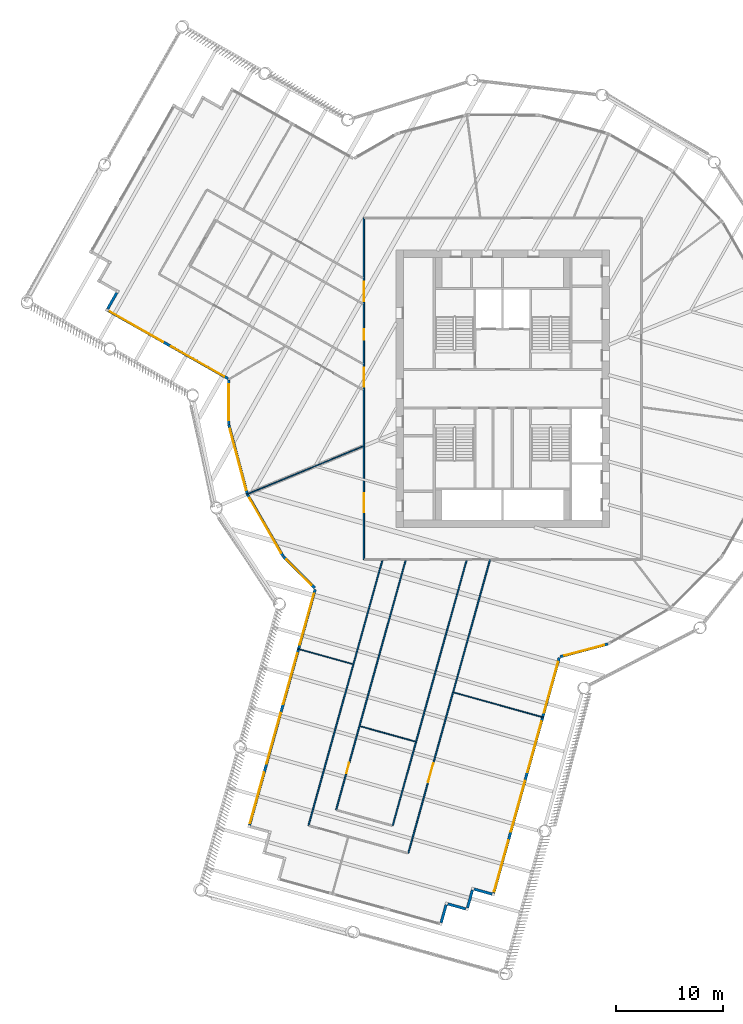
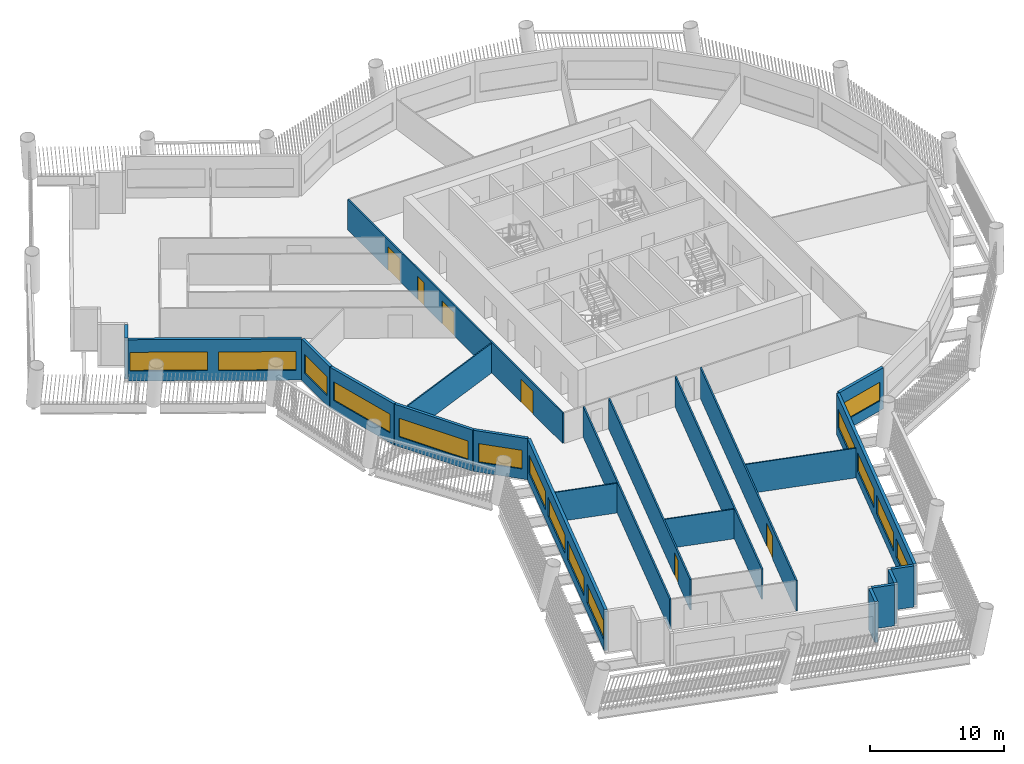
# One storey, part 3 of 15: 22 walls, 15 windows, 6 doors, 21 openings.
"""IFC4 building model written with IfcOpenShell, lengths in metres."""

from ifc_helpers import new_model, si_unit, direction, frame, frame_2d, origin, place, context, subcontext, project, spatial, rectangle, extrude, material, layer, layer_set, type_object, element, fill, save


model = new_model("IFC4")

# Units and contexts
model_context = context("Model", 3, precision=1e-05, world=origin(), true_north=direction((0.0, 1.0)))
body_context = subcontext(model_context, "Body", "Model", "MODEL_VIEW")
ifc_project = project(units=[si_unit("LENGTHUNIT", "METRE"), si_unit("AREAUNIT", "SQUARE_METRE"), si_unit("VOLUMEUNIT", "CUBIC_METRE"), si_unit("PLANEANGLEUNIT", "RADIAN"), si_unit("MASSUNIT", "GRAM", prefix="KILO")], contexts=[model_context])

# Site, building, storey
site_placement = place(None, origin())
site = spatial("IfcSite", under=ifc_project, at=site_placement, CompositionType="ELEMENT")
building_placement = place(site_placement, origin())
building = spatial("IfcBuilding", under=site, at=building_placement, Name="Tarsis Ring Headquarters", CompositionType="ELEMENT")
storey_placement = place(building_placement, frame((0.0, 0.0, 159.300048828125)))
storey = spatial("IfcBuildingStorey", under=building, at=storey_placement, Name="L36", CompositionType="ELEMENT", Elevation=159.300048828125)

# Walls
ifc_material_1 = material(Name="Gypsum board on steel studs", Category="steel")
ifc_layer_1 = layer(ifc_material_1, 0.10009765625)
ifc_layer_set_1 = layer_set([ifc_layer_1], Name="FL partition 100 unrated")
wall_type_1 = type_object("IfcWallType", Name="FL partition 100 unrated", PredefinedType="PARTITIONING", material=ifc_layer_set_1)
wall_1_placement = place(storey_placement, frame((-23.983154296875, -9.90478515625, 0.0), z_axis=(0.0, 0.0, 1.0), x_axis=(0.92427919587, 0.381717130977, 0.0)))
element("IfcWall", 1, at=wall_1_placement, inside=storey, type_object=wall_type_1, Name="Partition PW3", PredefinedType="PARTITIONING", context=body_context, shape_type="SweptSolid", body=[
    extrude(rectangle(XDim=11.802978515625, YDim=0.10009765625, at=frame_2d((5.9013671875, 0.0))), origin(), (0.0, 0.0, 1.0), 2.699951171875),
])
wall_2_placement = place(storey_placement, frame((-4.571044921875, -28.456787109375, 0.0), z_axis=(0.0, 0.0, 1.0), x_axis=(0.963350054354, -0.268247409636, 0.0)))
element("IfcWall", 2, at=wall_2_placement, inside=storey, type_object=wall_type_1, Name="Partition PW3", PredefinedType="PARTITIONING", context=body_context, shape_type="SweptSolid", body=[
    extrude(rectangle(XDim=8.719970703125, YDim=0.10009765625, at=frame_2d((4.35986328125, 0.0))), origin(), (0.0, 0.0, 1.0), 2.699951171875),
])
wall_3_placement = place(storey_placement, frame((-13.341064453125, -31.6201171875, 0.0), z_axis=(0.0, 0.0, 1.0), x_axis=(0.96334151208, -0.268278085397, 0.0)))
element("IfcWall", 3, at=wall_3_placement, inside=storey, type_object=wall_type_1, Name="Partition PW3", PredefinedType="PARTITIONING", context=body_context, shape_type="SweptSolid", body=[
    extrude(rectangle(XDim=5.360107421875, YDim=0.10009765625, at=frame_2d((2.68017578125, 0.0))), origin(), (0.0, 0.0, 1.0), 2.699951171875),
])
wall_4_placement = place(storey_placement, frame((-19.189208984375, -24.365478515625, 0.0), z_axis=(0.0, 0.0, 1.0), x_axis=(0.963341506493, -0.268278105458, 0.0)))
element("IfcWall", 4, at=wall_4_placement, inside=storey, type_object=wall_type_1, Name="Partition PW3", PredefinedType="PARTITIONING", context=body_context, shape_type="SweptSolid", body=[
    extrude(rectangle(XDim=5.340087890625, YDim=0.10009765625, at=frame_2d((2.669921875, 0.0))), origin(), (0.0, 0.0, 1.0), 2.699951171875),
])

# Wall, openings, doors
ifc_layer_2 = layer(ifc_material_1, 0.125)
ifc_layer_set_2 = layer_set([ifc_layer_2], Name="FL partition 125 EI 60 H2770")
wall_type_2 = type_object("IfcWallType", Name="FL partition 125 EI 60 H2770", PredefinedType="PARTITIONING", material=ifc_layer_set_2)
wall_5_placement = place(storey_placement, frame((-13.0, -16.0, 0.0), z_axis=(0.0, 0.0, 1.0), x_axis=(0.0, 1.0, 0.0)))
wall_5 = element("IfcWall", 5, at=wall_5_placement, inside=storey, type_object=wall_type_2, Name="Partition PW1", PredefinedType="PARTITIONING", context=body_context, shape_type="SweptSolid", body=[
    extrude(rectangle(XDim=32.0, YDim=0.125, at=frame_2d((16.0, 0.0))), origin(), (0.0, 0.0, 1.0), 2.77001953125),
])
opening_1_placement = place(wall_5_placement, frame((4.41552734375, 0.0, 0.0)))
opening_1 = element("IfcOpeningElement", 6, at=opening_1_placement, cuts=wall_5, Name="Opening D36.10", PredefinedType="OPENING", context=body_context, shape_type="SweptSolid", body=[
    extrude(rectangle(XDim=1.800048828125, YDim=2.10009765625, at=frame_2d((0.89990234375, 1.050048828125))), frame((0.0, 0.072509765625, 0.0), z_axis=(0.0, -1.0, 0.0), x_axis=(1.0, 0.0, 0.0)), (0.0, 0.0, 1.0), 0.14501953125),
])
opening_2_placement = place(wall_5_placement, frame((20.585205078125, 0.0, 0.0)))
opening_2 = element("IfcOpeningElement", 7, at=opening_2_placement, cuts=wall_5, Name="Opening D36.12", PredefinedType="OPENING", context=body_context, shape_type="SweptSolid", body=[
    extrude(rectangle(XDim=1.0, YDim=2.10009765625, at=frame_2d((0.5, 1.050048828125))), frame((0.0, 0.072509765625, 0.0), z_axis=(0.0, -1.0, 0.0), x_axis=(1.0, 0.0, 0.0)), (0.0, 0.0, 1.0), 0.14501953125),
])
opening_3_placement = place(wall_5_placement, frame((16.16162109375, 0.0, 0.0)))
opening_3 = element("IfcOpeningElement", 8, at=opening_3_placement, cuts=wall_5, Name="Opening D36.18", PredefinedType="OPENING", context=body_context, shape_type="SweptSolid", body=[
    extrude(rectangle(XDim=1.800048828125, YDim=2.10009765625, at=frame_2d((0.89990234375, 1.050048828125))), frame((0.0, 0.072509765625, 0.0), z_axis=(0.0, -1.0, 0.0), x_axis=(1.0, 0.0, 0.0)), (0.0, 0.0, 1.0), 0.14501953125),
])
opening_4_placement = place(wall_5_placement, frame((24.208984375, 0.0, 0.0)))
opening_4 = element("IfcOpeningElement", 9, at=opening_4_placement, cuts=wall_5, Name="Opening D36.19", PredefinedType="OPENING", context=body_context, shape_type="SweptSolid", body=[
    extrude(rectangle(XDim=1.800048828125, YDim=2.10009765625, at=frame_2d((0.89990234375, 1.050048828125))), frame((0.0, 0.072509765625, 0.0), z_axis=(0.0, -1.0, 0.0), x_axis=(1.0, 0.0, 0.0)), (0.0, 0.0, 1.0), 0.14501953125),
])
ifc_material_2 = material(Name="Fire-rated timber door leaf in steel frame", Category="steel")
door_type_1 = type_object("IfcDoorType", Name="FL door FD60-1000", OperationType="NOTDEFINED", PredefinedType="DOOR", material=ifc_material_2)
door_1_placement = place(opening_2_placement, origin())
door_1 = element("IfcDoor", 10, at=door_1_placement, inside=storey, type_object=door_type_1, Name="Door D36.12", OperationType="SINGLE_SWING_RIGHT", OverallHeight=2.10009765625, OverallWidth=1.0, PredefinedType="DOOR", context=body_context, shape_type="SweptSolid", body=[
    extrude(rectangle(XDim=1.0, YDim=2.10009765625, at=frame_2d((0.5, 1.050048828125))), frame((0.0, 0.02490234375, 0.0), z_axis=(0.0, -1.0, 0.0), x_axis=(1.0, 0.0, 0.0)), (0.0, 0.0, 1.0), 0.050048828125),
])
fill(opening_2, door_1)
door_type_2 = type_object("IfcDoorType", Name="FL door FD60-1800", OperationType="DOUBLE_DOOR_SINGLE_SWING", PredefinedType="DOOR", material=ifc_material_2)
door_2_placement = place(opening_1_placement, origin())
door_2 = element("IfcDoor", 11, at=door_2_placement, inside=storey, type_object=door_type_2, Name="Door D36.10", OperationType="DOUBLE_DOOR_SINGLE_SWING", OverallHeight=2.10009765625, OverallWidth=1.800048828125, PredefinedType="DOOR", context=body_context, shape_type="SweptSolid", body=[
    extrude(rectangle(XDim=1.800048828125, YDim=2.10009765625, at=frame_2d((0.89990234375, 1.050048828125))), frame((0.0, 0.02490234375, 0.0), z_axis=(0.0, -1.0, 0.0), x_axis=(1.0, 0.0, 0.0)), (0.0, 0.0, 1.0), 0.050048828125),
])
fill(opening_1, door_2)
door_3_placement = place(opening_3_placement, origin())
door_3 = element("IfcDoor", 12, at=door_3_placement, inside=storey, type_object=door_type_2, Name="Door D36.18", OperationType="DOUBLE_DOOR_SINGLE_SWING", OverallHeight=2.10009765625, OverallWidth=1.800048828125, PredefinedType="DOOR", context=body_context, shape_type="SweptSolid", body=[
    extrude(rectangle(XDim=1.800048828125, YDim=2.10009765625, at=frame_2d((0.89990234375, 1.050048828125))), frame((0.0, 0.02490234375, 0.0), z_axis=(0.0, -1.0, 0.0), x_axis=(1.0, 0.0, 0.0)), (0.0, 0.0, 1.0), 0.050048828125),
])
fill(opening_3, door_3)
door_4_placement = place(opening_4_placement, origin())
door_4 = element("IfcDoor", 13, at=door_4_placement, inside=storey, type_object=door_type_2, Name="Door D36.19", OperationType="DOUBLE_DOOR_SINGLE_SWING", OverallHeight=2.10009765625, OverallWidth=1.800048828125, PredefinedType="DOOR", context=body_context, shape_type="SweptSolid", body=[
    extrude(rectangle(XDim=1.800048828125, YDim=2.10009765625, at=frame_2d((0.89990234375, 1.050048828125))), frame((0.0, 0.02490234375, 0.0), z_axis=(0.0, -1.0, 0.0), x_axis=(1.0, 0.0, 0.0)), (0.0, 0.0, 1.0), 0.050048828125),
])
fill(opening_4, door_4)

# Wall, opening, door
wall_6_placement = place(storey_placement, frame((-8.839111328125, -43.524169921875, 0.0), z_axis=(0.0, 0.0, 1.0), x_axis=(0.268243624583, 0.963351108304, 0.0)))
wall_6 = element("IfcWall", 14, at=wall_6_placement, inside=storey, type_object=wall_type_2, Name="Partition PW1", PredefinedType="PARTITIONING", context=body_context, shape_type="SweptSolid", body=[
    extrude(rectangle(XDim=28.5712890625, YDim=0.125, at=frame_2d((14.28564453125, 0.0))), origin(), (0.0, 0.0, 1.0), 2.77001953125),
])
opening_5_placement = place(wall_6_placement, frame((6.9326171875, 0.0, 0.0)))
opening_5 = element("IfcOpeningElement", 15, at=opening_5_placement, cuts=wall_6, Name="Opening D36.08", PredefinedType="OPENING", context=body_context, shape_type="SweptSolid", body=[
    extrude(rectangle(XDim=1.800048828125, YDim=2.10009765625, at=frame_2d((0.89990234375, 1.050048828125))), frame((0.0, 0.072509765625, 0.0), z_axis=(0.0, -1.0, 0.0), x_axis=(1.0, 0.0, 0.0)), (0.0, 0.0, 1.0), 0.14501953125),
])
door_5_placement = place(opening_5_placement, origin())
door_5 = element("IfcDoor", 16, at=door_5_placement, inside=storey, type_object=door_type_2, Name="Door D36.08", OperationType="DOUBLE_DOOR_SINGLE_SWING", OverallHeight=2.10009765625, OverallWidth=1.800048828125, PredefinedType="DOOR", context=body_context, shape_type="SweptSolid", body=[
    extrude(rectangle(XDim=1.800048828125, YDim=2.10009765625, at=frame_2d((0.89990234375, 1.050048828125))), frame((0.0, 0.02490234375, 0.0), z_axis=(0.0, -1.0, 0.0), x_axis=(1.0, 0.0, 0.0)), (0.0, 0.0, 1.0), 0.050048828125),
])
fill(opening_5, door_5)

# Walls
wall_7_placement = place(storey_placement, frame((-10.298828125, -40.937744140625, 0.0), z_axis=(0.0, 0.0, 1.0), x_axis=(0.268242506116, 0.963351419739, 0.0)))
element("IfcWall", 17, at=wall_7_placement, inside=storey, type_object=wall_type_2, Name="Partition PW1", PredefinedType="PARTITIONING", context=body_context, shape_type="SweptSolid", body=[
    extrude(rectangle(XDim=25.806396484375, YDim=0.125, at=frame_2d((12.9033203125, 0.0))), origin(), (0.0, 0.0, 1.0), 2.77001953125),
])
wall_8_placement = place(storey_placement, frame((-18.18359375, -40.922119140625, 0.0), z_axis=(0.0, 0.0, 1.0), x_axis=(0.26824971548, 0.963349412282, 0.0)))
element("IfcWall", 18, at=wall_8_placement, inside=storey, type_object=wall_type_2, Name="Partition PW1", PredefinedType="PARTITIONING", context=body_context, shape_type="SweptSolid", body=[
    extrude(rectangle(XDim=25.790283203125, YDim=0.125, at=frame_2d((12.89501953125, 0.0))), origin(), (0.0, 0.0, 1.0), 2.77001953125),
])

# Wall, opening, door
wall_9_placement = place(storey_placement, frame((-15.597412109375, -39.46240234375, 0.0), z_axis=(0.0, 0.0, 1.0), x_axis=(0.268248633033, 0.963349713695, 0.0)))
wall_9 = element("IfcWall", 19, at=wall_9_placement, inside=storey, type_object=wall_type_2, Name="Partition PW1", PredefinedType="PARTITIONING", context=body_context, shape_type="SweptSolid", body=[
    extrude(rectangle(XDim=24.27490234375, YDim=0.125, at=frame_2d((12.137451171875, 0.0))), origin(), (0.0, 0.0, 1.0), 2.77001953125),
])
opening_6_placement = place(wall_9_placement, frame((3.580078125, 0.0, 0.0)))
opening_6 = element("IfcOpeningElement", 20, at=opening_6_placement, cuts=wall_9, Name="Opening D36.15", PredefinedType="OPENING", context=body_context, shape_type="SweptSolid", body=[
    extrude(rectangle(XDim=1.0, YDim=2.10009765625, at=frame_2d((0.5, 1.050048828125))), frame((0.0, 0.072509765625, 0.0), z_axis=(0.0, -1.0, 0.0), x_axis=(1.0, 0.0, 0.0)), (0.0, 0.0, 1.0), 0.14501953125),
])
door_6_placement = place(opening_6_placement, origin())
door_6 = element("IfcDoor", 21, at=door_6_placement, inside=storey, type_object=door_type_1, Name="Door D36.15", OperationType="SINGLE_SWING_LEFT", OverallHeight=2.10009765625, OverallWidth=1.0, PredefinedType="DOOR", context=body_context, shape_type="SweptSolid", body=[
    extrude(rectangle(XDim=1.0, YDim=2.10009765625, at=frame_2d((0.5, 1.050048828125))), frame((0.0, 0.02490234375, 0.0), z_axis=(0.0, -1.0, 0.0), x_axis=(1.0, 0.0, 0.0)), (0.0, 0.0, 1.0), 0.050048828125),
])
fill(opening_6, door_6)

# Wall, openings, windows
ifc_material_3 = material(Name="Terracotta clad insulated panel wall", Category="masonry")
ifc_layer_3 = layer(ifc_material_3, 0.25)
ifc_layer_set_3 = layer_set([ifc_layer_3], Name="Facade wall terracotta panel 250")
wall_type_3 = type_object("IfcWallType", Name="Facade wall terracotta panel 250", PredefinedType="STANDARD", material=ifc_layer_set_3)
wall_10_placement = place(storey_placement, frame((-36.955078125, 7.307373046875, 0.0), z_axis=(0.0, 0.0, 1.0), x_axis=(0.86984194742, -0.493330504335, 0.0)))
wall_10 = element("IfcWall", 22, at=wall_10_placement, inside=storey, type_object=wall_type_3, Name="External wall L36-01", PredefinedType="STANDARD", context=body_context, shape_type="SweptSolid", body=[
    extrude(rectangle(XDim=12.921875, YDim=0.25, at=frame_2d((6.4609375, 0.0))), origin(), (0.0, 0.0, 1.0), 3.739990234375),
])
opening_7_placement = place(wall_10_placement, frame((0.16796875, 0.0, 0.89990234375)))
opening_7 = element("IfcOpeningElement", 23, at=opening_7_placement, cuts=wall_10, Name="Opening WN06", PredefinedType="OPENING", context=body_context, shape_type="SweptSolid", body=[
    extrude(rectangle(XDim=5.75, YDim=1.699951171875, at=frame_2d((2.875, 0.85009765625))), frame((0.0, 0.135009765625, 0.0), z_axis=(0.0, -1.0, 0.0), x_axis=(1.0, 0.0, 0.0)), (0.0, 0.0, 1.0), 0.27001953125),
])
opening_8_placement = place(wall_10_placement, frame((6.75390625, 0.0, 0.89990234375)))
opening_8 = element("IfcOpeningElement", 24, at=opening_8_placement, cuts=wall_10, Name="Opening WN06", PredefinedType="OPENING", context=body_context, shape_type="SweptSolid", body=[
    extrude(rectangle(XDim=5.75, YDim=1.699951171875, at=frame_2d((2.875, 0.85009765625))), frame((0.0, 0.135009765625, 0.0), z_axis=(0.0, -1.0, 0.0), x_axis=(1.0, 0.0, 0.0)), (0.0, 0.0, 1.0), 0.27001953125),
])
ifc_material_4 = material(Name="Aluminium framed double glazing", Category="aluminium")
window_type_1 = type_object("IfcWindowType", Name="Facade window 5750 x 1700", PartitioningType="SINGLE_PANEL", PredefinedType="WINDOW", material=ifc_material_4)
window_1_placement = place(opening_7_placement, origin())
window_1 = element("IfcWindow", 25, at=window_1_placement, inside=storey, type_object=window_type_1, Name="Window L36-01.1", OverallHeight=1.699951171875, OverallWidth=5.75, PartitioningType="SINGLE_PANEL", PredefinedType="WINDOW", context=body_context, shape_type="SweptSolid", body=[
    extrude(rectangle(XDim=5.75, YDim=1.699951171875, at=frame_2d((2.875, 0.85009765625))), frame((0.0, 0.030029296875, 0.0), z_axis=(0.0, -1.0, 0.0), x_axis=(1.0, 0.0, 0.0)), (0.0, 0.0, 1.0), 0.06005859375),
])
fill(opening_7, window_1)
window_2_placement = place(opening_8_placement, origin())
window_2 = element("IfcWindow", 26, at=window_2_placement, inside=storey, type_object=window_type_1, Name="Window L36-01.2", OverallHeight=1.699951171875, OverallWidth=5.75, PartitioningType="SINGLE_PANEL", PredefinedType="WINDOW", context=body_context, shape_type="SweptSolid", body=[
    extrude(rectangle(XDim=5.75, YDim=1.699951171875, at=frame_2d((2.875, 0.85009765625))), frame((0.0, 0.030029296875, 0.0), z_axis=(0.0, -1.0, 0.0), x_axis=(1.0, 0.0, 0.0)), (0.0, 0.0, 1.0), 0.06005859375),
])
fill(opening_8, window_2)

# Wall, opening, window
wall_11_placement = place(storey_placement, frame((-25.651611328125, 0.82373046875, 0.0), z_axis=(0.0, 0.0, 1.0), x_axis=(-0.001056957718, -0.99999944142, 0.0)))
wall_11 = element("IfcWall", 27, at=wall_11_placement, inside=storey, type_object=wall_type_3, Name="External wall L36-02", PredefinedType="STANDARD", context=body_context, shape_type="SweptSolid", body=[
    extrude(rectangle(XDim=4.15771484375, YDim=0.25, at=frame_2d((2.078857421875, 0.0))), origin(), (0.0, 0.0, 1.0), 3.739990234375),
])
opening_9_placement = place(wall_11_placement, frame((0.420166015625, 0.0, 0.89990234375)))
opening_9 = element("IfcOpeningElement", 28, at=opening_9_placement, cuts=wall_11, Name="Opening WN01", PredefinedType="OPENING", context=body_context, shape_type="SweptSolid", body=[
    extrude(rectangle(XDim=3.35009765625, YDim=1.699951171875, at=frame_2d((1.675048828125, 0.85009765625))), frame((0.0, 0.135009765625, 0.0), z_axis=(0.0, -1.0, 0.0), x_axis=(1.0, 0.0, 0.0)), (0.0, 0.0, 1.0), 0.27001953125),
])
window_type_2 = type_object("IfcWindowType", Name="Facade window 3350 x 1700", PartitioningType="SINGLE_PANEL", PredefinedType="WINDOW", material=ifc_material_4)
window_3_placement = place(opening_9_placement, origin())
window_3 = element("IfcWindow", 29, at=window_3_placement, inside=storey, type_object=window_type_2, Name="Window L36-02.1", OverallHeight=1.699951171875, OverallWidth=3.35009765625, PartitioningType="SINGLE_PANEL", PredefinedType="WINDOW", context=body_context, shape_type="SweptSolid", body=[
    extrude(rectangle(XDim=3.35009765625, YDim=1.699951171875, at=frame_2d((1.675048828125, 0.85009765625))), frame((0.0, 0.030029296875, 0.0), z_axis=(0.0, -1.0, 0.0), x_axis=(1.0, 0.0, 0.0)), (0.0, 0.0, 1.0), 0.06005859375),
])
fill(opening_9, window_3)

wall_12_placement = place(storey_placement, frame((-25.65185546875, -3.3662109375, 0.0), z_axis=(0.0, 0.0, 1.0), x_axis=(0.257811853059, -0.966195139929, 0.0)))
wall_12 = element("IfcWall", 30, at=wall_12_placement, inside=storey, type_object=wall_type_3, Name="External wall L36-03", PredefinedType="STANDARD", context=body_context, shape_type="SweptSolid", body=[
    extrude(rectangle(XDim=6.7216796875, YDim=0.25, at=frame_2d((3.36083984375, 0.0))), origin(), (0.0, 0.0, 1.0), 3.739990234375),
])
opening_10_placement = place(wall_12_placement, frame((0.3857421875, 0.0, 0.89990234375)))
opening_10 = element("IfcOpeningElement", 31, at=opening_10_placement, cuts=wall_12, Name="Opening WN07", PredefinedType="OPENING", context=body_context, shape_type="SweptSolid", body=[
    extrude(rectangle(XDim=5.949951171875, YDim=1.699951171875, at=frame_2d((2.97509765625, 0.85009765625))), frame((0.0, 0.135009765625, 0.0), z_axis=(0.0, -1.0, 0.0), x_axis=(1.0, 0.0, 0.0)), (0.0, 0.0, 1.0), 0.27001953125),
])
window_type_3 = type_object("IfcWindowType", Name="Facade window 5950 x 1700", PartitioningType="SINGLE_PANEL", PredefinedType="WINDOW", material=ifc_material_4)
window_4_placement = place(opening_10_placement, origin())
window_4 = element("IfcWindow", 32, at=window_4_placement, inside=storey, type_object=window_type_3, Name="Window L36-03.1", OverallHeight=1.699951171875, OverallWidth=5.949951171875, PartitioningType="SINGLE_PANEL", PredefinedType="WINDOW", context=body_context, shape_type="SweptSolid", body=[
    extrude(rectangle(XDim=5.949951171875, YDim=1.699951171875, at=frame_2d((2.97509765625, 0.85009765625))), frame((0.0, 0.030029296875, 0.0), z_axis=(0.0, -1.0, 0.0), x_axis=(1.0, 0.0, 0.0)), (0.0, 0.0, 1.0), 0.06005859375),
])
fill(opening_10, window_4)

wall_13_placement = place(storey_placement, frame((-23.906494140625, -9.890625, 0.0), z_axis=(0.0, 0.0, 1.0), x_axis=(0.499089259287, -0.866550582058, 0.0)))
wall_13 = element("IfcWall", 33, at=wall_13_placement, inside=storey, type_object=wall_type_3, Name="External wall L36-04", PredefinedType="STANDARD", context=body_context, shape_type="SweptSolid", body=[
    extrude(rectangle(XDim=6.7216796875, YDim=0.25, at=frame_2d((3.36083984375, 0.0))), origin(), (0.0, 0.0, 1.0), 3.739990234375),
])
opening_11_placement = place(wall_13_placement, frame((0.3857421875, 0.0, 0.89990234375)))
opening_11 = element("IfcOpeningElement", 34, at=opening_11_placement, cuts=wall_13, Name="Opening WN07", PredefinedType="OPENING", context=body_context, shape_type="SweptSolid", body=[
    extrude(rectangle(XDim=5.949951171875, YDim=1.699951171875, at=frame_2d((2.97509765625, 0.85009765625))), frame((0.0, 0.135009765625, 0.0), z_axis=(0.0, -1.0, 0.0), x_axis=(1.0, 0.0, 0.0)), (0.0, 0.0, 1.0), 0.27001953125),
])
window_5_placement = place(opening_11_placement, origin())
window_5 = element("IfcWindow", 35, at=window_5_placement, inside=storey, type_object=window_type_3, Name="Window L36-04.1", OverallHeight=1.699951171875, OverallWidth=5.949951171875, PartitioningType="SINGLE_PANEL", PredefinedType="WINDOW", context=body_context, shape_type="SweptSolid", body=[
    extrude(rectangle(XDim=5.949951171875, YDim=1.699951171875, at=frame_2d((2.97509765625, 0.85009765625))), frame((0.0, 0.030029296875, 0.0), z_axis=(0.0, -1.0, 0.0), x_axis=(1.0, 0.0, 0.0)), (0.0, 0.0, 1.0), 0.06005859375),
])
fill(opening_11, window_5)

wall_14_placement = place(storey_placement, frame((-20.531982421875, -15.7412109375, 0.0), z_axis=(0.0, 0.0, 1.0), x_axis=(0.706372369552, -0.707840430841, 0.0)))
wall_14 = element("IfcWall", 36, at=wall_14_placement, inside=storey, type_object=wall_type_3, Name="External wall L36-05", PredefinedType="STANDARD", context=body_context, shape_type="SweptSolid", body=[
    extrude(rectangle(XDim=4.157470703125, YDim=0.25, at=frame_2d((2.07861328125, 0.0))), origin(), (0.0, 0.0, 1.0), 3.739990234375),
])
opening_12_placement = place(wall_14_placement, frame((0.38720703125, 0.0, 0.89990234375)))
opening_12 = element("IfcOpeningElement", 37, at=opening_12_placement, cuts=wall_14, Name="Opening WN01", PredefinedType="OPENING", context=body_context, shape_type="SweptSolid", body=[
    extrude(rectangle(XDim=3.35009765625, YDim=1.699951171875, at=frame_2d((1.675048828125, 0.85009765625))), frame((0.0, 0.135009765625, 0.0), z_axis=(0.0, -1.0, 0.0), x_axis=(1.0, 0.0, 0.0)), (0.0, 0.0, 1.0), 0.27001953125),
])
window_6_placement = place(opening_12_placement, origin())
window_6 = element("IfcWindow", 38, at=window_6_placement, inside=storey, type_object=window_type_2, Name="Window L36-05.1", OverallHeight=1.699951171875, OverallWidth=3.35009765625, PartitioningType="SINGLE_PANEL", PredefinedType="WINDOW", context=body_context, shape_type="SweptSolid", body=[
    extrude(rectangle(XDim=3.35009765625, YDim=1.699951171875, at=frame_2d((1.675048828125, 0.85009765625))), frame((0.0, 0.030029296875, 0.0), z_axis=(0.0, -1.0, 0.0), x_axis=(1.0, 0.0, 0.0)), (0.0, 0.0, 1.0), 0.06005859375),
])
fill(opening_12, window_6)

# Wall, openings, windows
wall_15_placement = place(storey_placement, frame((-17.563232421875, -18.805908203125, 0.0), z_axis=(0.0, 0.0, 1.0), x_axis=(-0.26825246562, -0.963348646487, 0.0)))
wall_15 = element("IfcWall", 39, at=wall_15_placement, inside=storey, type_object=wall_type_3, Name="External wall L36-06", PredefinedType="STANDARD", context=body_context, shape_type="SweptSolid", body=[
    extrude(rectangle(XDim=22.922119140625, YDim=0.25, at=frame_2d((11.4609375, 0.0))), origin(), (0.0, 0.0, 1.0), 3.739990234375),
])
opening_13_placement = place(wall_15_placement, frame((0.42138671875, 0.0, 0.89990234375)))
opening_13 = element("IfcOpeningElement", 40, at=opening_13_placement, cuts=wall_15, Name="Opening WN05", PredefinedType="OPENING", context=body_context, shape_type="SweptSolid", body=[
    extrude(rectangle(XDim=4.949951171875, YDim=1.699951171875, at=frame_2d((2.47509765625, 0.85009765625))), frame((0.0, 0.135009765625, 0.0), z_axis=(0.0, -1.0, 0.0), x_axis=(1.0, 0.0, 0.0)), (0.0, 0.0, 1.0), 0.27001953125),
])
opening_14_placement = place(wall_15_placement, frame((6.214599609375, 0.0, 0.89990234375)))
opening_14 = element("IfcOpeningElement", 41, at=opening_14_placement, cuts=wall_15, Name="Opening WN05", PredefinedType="OPENING", context=body_context, shape_type="SweptSolid", body=[
    extrude(rectangle(XDim=4.949951171875, YDim=1.699951171875, at=frame_2d((2.47509765625, 0.85009765625))), frame((0.0, 0.135009765625, 0.0), z_axis=(0.0, -1.0, 0.0), x_axis=(1.0, 0.0, 0.0)), (0.0, 0.0, 1.0), 0.27001953125),
])
opening_15_placement = place(wall_15_placement, frame((12.007568359375, 0.0, 0.89990234375)))
opening_15 = element("IfcOpeningElement", 42, at=opening_15_placement, cuts=wall_15, Name="Opening WN05", PredefinedType="OPENING", context=body_context, shape_type="SweptSolid", body=[
    extrude(rectangle(XDim=4.949951171875, YDim=1.699951171875, at=frame_2d((2.47509765625, 0.85009765625))), frame((0.0, 0.135009765625, 0.0), z_axis=(0.0, -1.0, 0.0), x_axis=(1.0, 0.0, 0.0)), (0.0, 0.0, 1.0), 0.27001953125),
])
opening_16_placement = place(wall_15_placement, frame((17.800537109375, 0.0, 0.89990234375)))
opening_16 = element("IfcOpeningElement", 43, at=opening_16_placement, cuts=wall_15, Name="Opening WN05", PredefinedType="OPENING", context=body_context, shape_type="SweptSolid", body=[
    extrude(rectangle(XDim=4.949951171875, YDim=1.699951171875, at=frame_2d((2.47509765625, 0.85009765625))), frame((0.0, 0.135009765625, 0.0), z_axis=(0.0, -1.0, 0.0), x_axis=(1.0, 0.0, 0.0)), (0.0, 0.0, 1.0), 0.27001953125),
])
window_type_4 = type_object("IfcWindowType", Name="Facade window 4950 x 1700", PartitioningType="SINGLE_PANEL", PredefinedType="WINDOW", material=ifc_material_4)
window_7_placement = place(opening_13_placement, origin())
window_7 = element("IfcWindow", 44, at=window_7_placement, inside=storey, type_object=window_type_4, Name="Window L36-06.1", OverallHeight=1.699951171875, OverallWidth=4.949951171875, PartitioningType="SINGLE_PANEL", PredefinedType="WINDOW", context=body_context, shape_type="SweptSolid", body=[
    extrude(rectangle(XDim=4.949951171875, YDim=1.699951171875, at=frame_2d((2.47509765625, 0.85009765625))), frame((0.0, 0.030029296875, 0.0), z_axis=(0.0, -1.0, 0.0), x_axis=(1.0, 0.0, 0.0)), (0.0, 0.0, 1.0), 0.06005859375),
])
fill(opening_13, window_7)
window_8_placement = place(opening_14_placement, origin())
window_8 = element("IfcWindow", 45, at=window_8_placement, inside=storey, type_object=window_type_4, Name="Window L36-06.2", OverallHeight=1.699951171875, OverallWidth=4.949951171875, PartitioningType="SINGLE_PANEL", PredefinedType="WINDOW", context=body_context, shape_type="SweptSolid", body=[
    extrude(rectangle(XDim=4.949951171875, YDim=1.699951171875, at=frame_2d((2.47509765625, 0.85009765625))), frame((0.0, 0.030029296875, 0.0), z_axis=(0.0, -1.0, 0.0), x_axis=(1.0, 0.0, 0.0)), (0.0, 0.0, 1.0), 0.06005859375),
])
fill(opening_14, window_8)
window_9_placement = place(opening_15_placement, origin())
window_9 = element("IfcWindow", 46, at=window_9_placement, inside=storey, type_object=window_type_4, Name="Window L36-06.3", OverallHeight=1.699951171875, OverallWidth=4.949951171875, PartitioningType="SINGLE_PANEL", PredefinedType="WINDOW", context=body_context, shape_type="SweptSolid", body=[
    extrude(rectangle(XDim=4.949951171875, YDim=1.699951171875, at=frame_2d((2.47509765625, 0.85009765625))), frame((0.0, 0.030029296875, 0.0), z_axis=(0.0, -1.0, 0.0), x_axis=(1.0, 0.0, 0.0)), (0.0, 0.0, 1.0), 0.06005859375),
])
fill(opening_15, window_9)
window_10_placement = place(opening_16_placement, origin())
window_10 = element("IfcWindow", 47, at=window_10_placement, inside=storey, type_object=window_type_4, Name="Window L36-06.4", OverallHeight=1.699951171875, OverallWidth=4.949951171875, PartitioningType="SINGLE_PANEL", PredefinedType="WINDOW", context=body_context, shape_type="SweptSolid", body=[
    extrude(rectangle(XDim=4.949951171875, YDim=1.699951171875, at=frame_2d((2.47509765625, 0.85009765625))), frame((0.0, 0.030029296875, 0.0), z_axis=(0.0, -1.0, 0.0), x_axis=(1.0, 0.0, 0.0)), (0.0, 0.0, 1.0), 0.06005859375),
])
fill(opening_16, window_10)

# Walls
for number, where, z_axis, x_axis, name in (
    (48, (-5.759033203125, -50.0390625, 0.0), (0.0, 0.0, 1.0), (0.268284207007, 0.96333980727, 0.0), "External wall L36-12"),
    (49, (-5.135498046875, -48.266357421875, 0.0), (0.0, 0.0, 1.0), (0.96333980727, -0.268284207007, 0.0), "External wall L36-13"),
    (50, (-3.295654296875, -48.64892578125, 0.0), (0.0, 0.0, 1.0), (0.268154728042, 0.963375856989, 0.0), "External wall L36-14"),
    (51, (-2.67236328125, -46.876220703125, 0.0), (0.0, 0.0, 1.0), (0.96333980727, -0.268284207007, 0.0), "External wall L36-15"),
):
    element("IfcWall", number, at=place(storey_placement, frame(where, z_axis=z_axis, x_axis=x_axis)), inside=storey, type_object=wall_type_3, Name=name, PredefinedType="STANDARD", context=body_context, shape_type="SweptSolid", body=[
        extrude(rectangle(XDim=1.75, YDim=0.25, at=frame_2d((0.875, 0.0))), origin(), (0.0, 0.0, 1.0), 3.739990234375),
    ])

# Wall, openings, windows
wall_16_placement = place(storey_placement, frame((-0.83251953125, -47.2587890625, 0.0), z_axis=(0.0, 0.0, 1.0), x_axis=(0.268250819199, 0.963349104945, 0.0)))
wall_16 = element("IfcWall", 52, at=wall_16_placement, inside=storey, type_object=wall_type_3, Name="External wall L36-16", PredefinedType="STANDARD", context=body_context, shape_type="SweptSolid", body=[
    extrude(rectangle(XDim=22.9013671875, YDim=0.25, at=frame_2d((11.45068359375, 0.0))), origin(), (0.0, 0.0, 1.0), 3.739990234375),
])
opening_17_placement = place(wall_16_placement, frame((0.1689453125, 0.0, 0.89990234375)))
opening_17 = element("IfcOpeningElement", 53, at=opening_17_placement, cuts=wall_16, Name="Opening WN05", PredefinedType="OPENING", context=body_context, shape_type="SweptSolid", body=[
    extrude(rectangle(XDim=4.949951171875, YDim=1.699951171875, at=frame_2d((2.47509765625, 0.85009765625))), frame((0.0, 0.135009765625, 0.0), z_axis=(0.0, -1.0, 0.0), x_axis=(1.0, 0.0, 0.0)), (0.0, 0.0, 1.0), 0.27001953125),
])
opening_18_placement = place(wall_16_placement, frame((5.956787109375, 0.0, 0.89990234375)))
opening_18 = element("IfcOpeningElement", 54, at=opening_18_placement, cuts=wall_16, Name="Opening WN05", PredefinedType="OPENING", context=body_context, shape_type="SweptSolid", body=[
    extrude(rectangle(XDim=4.949951171875, YDim=1.699951171875, at=frame_2d((2.47509765625, 0.85009765625))), frame((0.0, 0.135009765625, 0.0), z_axis=(0.0, -1.0, 0.0), x_axis=(1.0, 0.0, 0.0)), (0.0, 0.0, 1.0), 0.27001953125),
])
opening_19_placement = place(wall_16_placement, frame((11.74462890625, 0.0, 0.89990234375)))
opening_19 = element("IfcOpeningElement", 55, at=opening_19_placement, cuts=wall_16, Name="Opening WN05", PredefinedType="OPENING", context=body_context, shape_type="SweptSolid", body=[
    extrude(rectangle(XDim=4.949951171875, YDim=1.699951171875, at=frame_2d((2.47509765625, 0.85009765625))), frame((0.0, 0.135009765625, 0.0), z_axis=(0.0, -1.0, 0.0), x_axis=(1.0, 0.0, 0.0)), (0.0, 0.0, 1.0), 0.27001953125),
])
opening_20_placement = place(wall_16_placement, frame((17.532470703125, 0.0, 0.89990234375)))
opening_20 = element("IfcOpeningElement", 56, at=opening_20_placement, cuts=wall_16, Name="Opening WN05", PredefinedType="OPENING", context=body_context, shape_type="SweptSolid", body=[
    extrude(rectangle(XDim=4.949951171875, YDim=1.699951171875, at=frame_2d((2.47509765625, 0.85009765625))), frame((0.0, 0.135009765625, 0.0), z_axis=(0.0, -1.0, 0.0), x_axis=(1.0, 0.0, 0.0)), (0.0, 0.0, 1.0), 0.27001953125),
])
window_11_placement = place(opening_17_placement, origin())
window_11 = element("IfcWindow", 57, at=window_11_placement, inside=storey, type_object=window_type_4, Name="Window L36-16.1", OverallHeight=1.699951171875, OverallWidth=4.949951171875, PartitioningType="SINGLE_PANEL", PredefinedType="WINDOW", context=body_context, shape_type="SweptSolid", body=[
    extrude(rectangle(XDim=4.949951171875, YDim=1.699951171875, at=frame_2d((2.47509765625, 0.85009765625))), frame((0.0, 0.030029296875, 0.0), z_axis=(0.0, -1.0, 0.0), x_axis=(1.0, 0.0, 0.0)), (0.0, 0.0, 1.0), 0.06005859375),
])
fill(opening_17, window_11)
window_12_placement = place(opening_18_placement, origin())
window_12 = element("IfcWindow", 58, at=window_12_placement, inside=storey, type_object=window_type_4, Name="Window L36-16.2", OverallHeight=1.699951171875, OverallWidth=4.949951171875, PartitioningType="SINGLE_PANEL", PredefinedType="WINDOW", context=body_context, shape_type="SweptSolid", body=[
    extrude(rectangle(XDim=4.949951171875, YDim=1.699951171875, at=frame_2d((2.47509765625, 0.85009765625))), frame((0.0, 0.030029296875, 0.0), z_axis=(0.0, -1.0, 0.0), x_axis=(1.0, 0.0, 0.0)), (0.0, 0.0, 1.0), 0.06005859375),
])
fill(opening_18, window_12)
window_13_placement = place(opening_19_placement, origin())
window_13 = element("IfcWindow", 59, at=window_13_placement, inside=storey, type_object=window_type_4, Name="Window L36-16.3", OverallHeight=1.699951171875, OverallWidth=4.949951171875, PartitioningType="SINGLE_PANEL", PredefinedType="WINDOW", context=body_context, shape_type="SweptSolid", body=[
    extrude(rectangle(XDim=4.949951171875, YDim=1.699951171875, at=frame_2d((2.47509765625, 0.85009765625))), frame((0.0, 0.030029296875, 0.0), z_axis=(0.0, -1.0, 0.0), x_axis=(1.0, 0.0, 0.0)), (0.0, 0.0, 1.0), 0.06005859375),
])
fill(opening_19, window_13)
window_14_placement = place(opening_20_placement, origin())
window_14 = element("IfcWindow", 60, at=window_14_placement, inside=storey, type_object=window_type_4, Name="Window L36-16.4", OverallHeight=1.699951171875, OverallWidth=4.949951171875, PartitioningType="SINGLE_PANEL", PredefinedType="WINDOW", context=body_context, shape_type="SweptSolid", body=[
    extrude(rectangle(XDim=4.949951171875, YDim=1.699951171875, at=frame_2d((2.47509765625, 0.85009765625))), frame((0.0, 0.030029296875, 0.0), z_axis=(0.0, -1.0, 0.0), x_axis=(1.0, 0.0, 0.0)), (0.0, 0.0, 1.0), 0.06005859375),
])
fill(opening_20, window_14)

# Wall, opening, window
wall_17_placement = place(storey_placement, frame((5.39892578125, -25.109375, 0.0), z_axis=(0.0, 0.0, 1.0), x_axis=(0.9661998302, 0.257794274805, 0.0)))
wall_17 = element("IfcWall", 61, at=wall_17_placement, inside=storey, type_object=wall_type_3, Name="External wall L36-17", PredefinedType="STANDARD", context=body_context, shape_type="SweptSolid", body=[
    extrude(rectangle(XDim=4.61767578125, YDim=0.25, at=frame_2d((2.308837890625, 0.0))), origin(), (0.0, 0.0, 1.0), 3.739990234375),
])
opening_21_placement = place(wall_17_placement, frame((0.400390625, 0.0, 0.89990234375)))
opening_21 = element("IfcOpeningElement", 62, at=opening_21_placement, cuts=wall_17, Name="Opening WN02", PredefinedType="OPENING", context=body_context, shape_type="SweptSolid", body=[
    extrude(rectangle(XDim=3.85009765625, YDim=1.699951171875, at=frame_2d((1.925048828125, 0.85009765625))), frame((0.0, 0.135009765625, 0.0), z_axis=(0.0, -1.0, 0.0), x_axis=(1.0, 0.0, 0.0)), (0.0, 0.0, 1.0), 0.27001953125),
])
window_type_5 = type_object("IfcWindowType", Name="Facade window 3850 x 1700", PartitioningType="SINGLE_PANEL", PredefinedType="WINDOW", material=ifc_material_4)
window_15_placement = place(opening_21_placement, origin())
window_15 = element("IfcWindow", 63, at=window_15_placement, inside=storey, type_object=window_type_5, Name="Window L36-17.1", OverallHeight=1.699951171875, OverallWidth=3.85009765625, PartitioningType="SINGLE_PANEL", PredefinedType="WINDOW", context=body_context, shape_type="SweptSolid", body=[
    extrude(rectangle(XDim=3.85009765625, YDim=1.699951171875, at=frame_2d((1.925048828125, 0.85009765625))), frame((0.0, 0.030029296875, 0.0), z_axis=(0.0, -1.0, 0.0), x_axis=(1.0, 0.0, 0.0)), (0.0, 0.0, 1.0), 0.06005859375),
])
fill(opening_21, window_15)

# Wall
wall_18_placement = place(storey_placement, frame((-36.138916015625, 9.0, 0.0), z_axis=(0.0, 0.0, 1.0), x_axis=(-0.493311746917, -0.869852585415, 0.0)))
element("IfcWall", 64, at=wall_18_placement, inside=storey, type_object=wall_type_3, Name="External wall L36-40", PredefinedType="STANDARD", context=body_context, shape_type="SweptSolid", body=[
    extrude(rectangle(XDim=1.75, YDim=0.25, at=frame_2d((0.875, 0.0))), origin(), (0.0, 0.0, 1.0), 3.739990234375),
])

save(model, "model.ifc")
